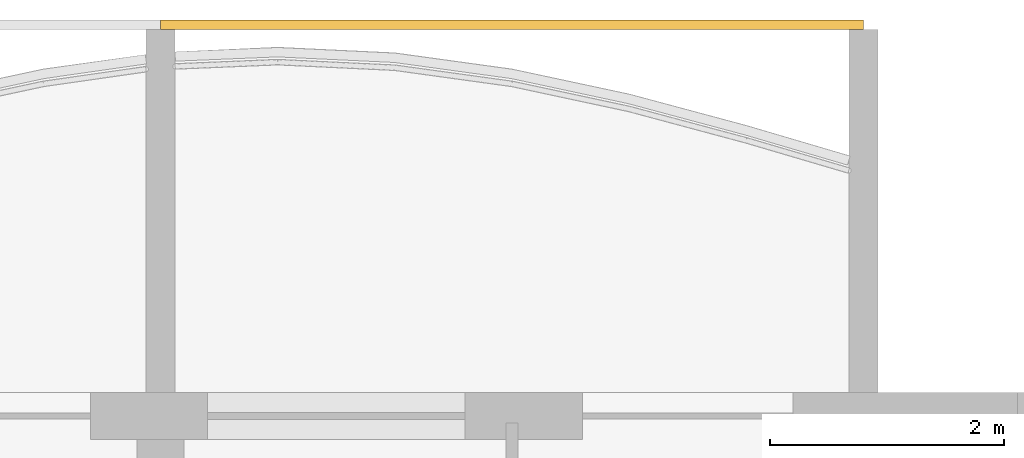
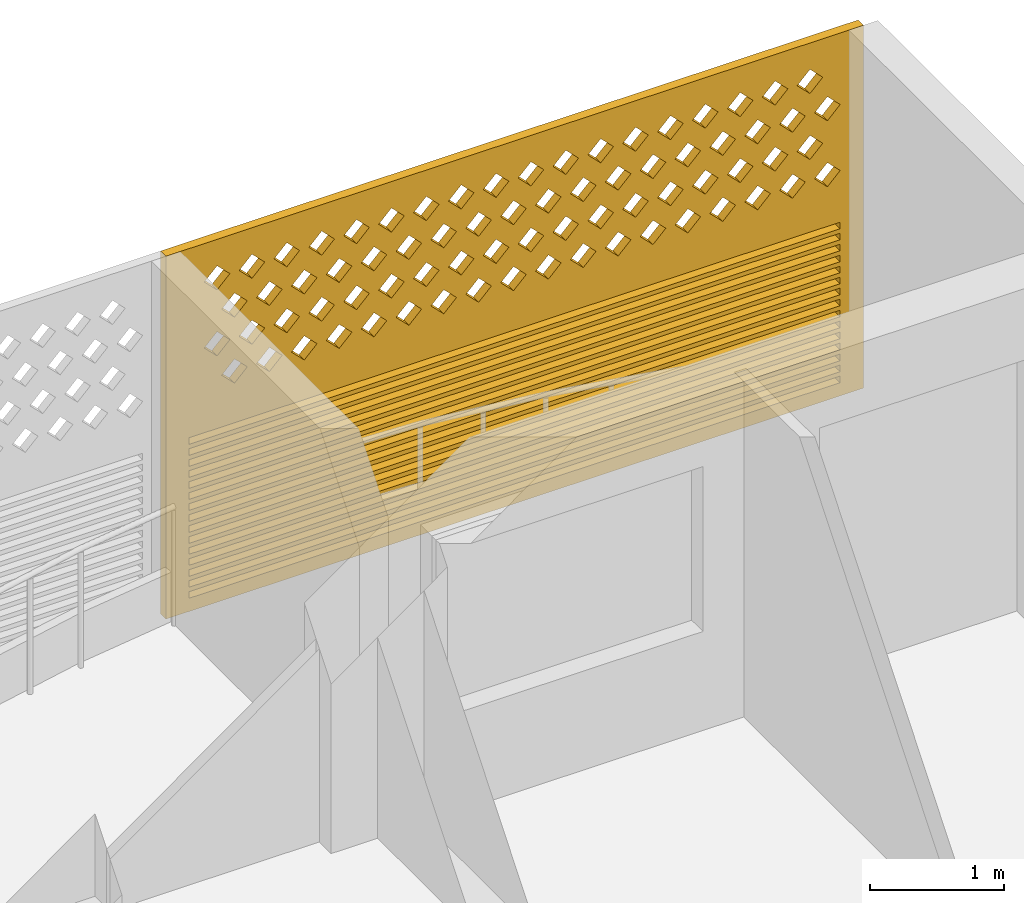
# One storey, part 40 of 40: 1 covering.
"""IFC4 building model written with IfcOpenShell, lengths in metres."""

from ifc_helpers import new_model, si_unit, direction, frame, origin, place, context, subcontext, project, spatial, polyline, outline, extrude, source, transform, mapped, material, material_profile, profile_set, type_object, element, save


model = new_model("IFC4")

# Units and contexts
model_context = context("Model", 3, precision=1e-05, world=origin(), true_north=direction((0.0, 1.0)))
body_context = subcontext(model_context, "Body", "Model", "MODEL_VIEW")
ifc_project = project(units=[si_unit("LENGTHUNIT", "METRE"), si_unit("AREAUNIT", "SQUARE_METRE"), si_unit("VOLUMEUNIT", "CUBIC_METRE"), si_unit("PLANEANGLEUNIT", "RADIAN"), si_unit("MASSUNIT", "GRAM", prefix="KILO")], contexts=[model_context])

# Site, building, storey
site_placement = place(None, origin())
site = spatial("IfcSite", under=ifc_project, at=site_placement, CompositionType="ELEMENT")
building_placement = place(site_placement, origin())
building = spatial("IfcBuilding", under=site, at=building_placement, Name="Poui Terraces", CompositionType="ELEMENT")
storey_placement = place(building_placement, frame((0.0, 0.0, 33.300048828125)))
storey = spatial("IfcBuildingStorey", under=building, at=storey_placement, Name="L08", CompositionType="ELEMENT", Elevation=33.300048828125)

# Covering
ifc_material = material(Name="Terracotta screen", Category="masonry")
ifc_material_profile = material_profile(ifc_material, outline(polyline([(-3.0, -1.64990234375), (3.0, -1.64990234375), (3.0, 1.64990234375), (-3.0, 1.64990234375), (-3.0, -1.64990234375)]), holes=[polyline([(-2.800048828125, 0.39990234375), (-2.68994140625, 0.2900390625), (-2.580078125, 0.39990234375), (-2.68994140625, 0.510009765625), (-2.800048828125, 0.39990234375)]), polyline([(-2.5, 0.39990234375), (-2.389892578125, 0.2900390625), (-2.280029296875, 0.39990234375), (-2.389892578125, 0.510009765625), (-2.5, 0.39990234375)]), polyline([(-2.199951171875, 0.39990234375), (-2.090087890625, 0.2900390625), (-1.97998046875, 0.39990234375), (-2.090087890625, 0.510009765625), (-2.199951171875, 0.39990234375)]), polyline([(-1.89990234375, 0.39990234375), (-1.7900390625, 0.2900390625), (-1.679931640625, 0.39990234375), (-1.7900390625, 0.510009765625), (-1.89990234375, 0.39990234375)]), polyline([(-1.60009765625, 0.39990234375), (-1.489990234375, 0.2900390625), (-1.3798828125, 0.39990234375), (-1.489990234375, 0.510009765625), (-1.60009765625, 0.39990234375)]), polyline([(-1.300048828125, 0.39990234375), (-1.18994140625, 0.2900390625), (-1.080078125, 0.39990234375), (-1.18994140625, 0.510009765625), (-1.300048828125, 0.39990234375)]), polyline([(-1.0, 0.39990234375), (-0.889892578125, 0.2900390625), (-0.780029296875, 0.39990234375), (-0.889892578125, 0.510009765625), (-1.0, 0.39990234375)]), polyline([(-0.699951171875, 0.39990234375), (-0.590087890625, 0.2900390625), (-0.47998046875, 0.39990234375), (-0.590087890625, 0.510009765625), (-0.699951171875, 0.39990234375)]), polyline([(-0.39990234375, 0.39990234375), (-0.2900390625, 0.2900390625), (-0.179931640625, 0.39990234375), (-0.2900390625, 0.510009765625), (-0.39990234375, 0.39990234375)]), polyline([(-0.10009765625, 0.39990234375), (0.010009765625, 0.2900390625), (0.1201171875, 0.39990234375), (0.010009765625, 0.510009765625), (-0.10009765625, 0.39990234375)]), polyline([(0.199951171875, 0.39990234375), (0.31005859375, 0.2900390625), (0.419921875, 0.39990234375), (0.31005859375, 0.510009765625), (0.199951171875, 0.39990234375)]), polyline([(0.5, 0.39990234375), (0.610107421875, 0.2900390625), (0.719970703125, 0.39990234375), (0.610107421875, 0.510009765625), (0.5, 0.39990234375)]), polyline([(0.800048828125, 0.39990234375), (0.909912109375, 0.2900390625), (1.02001953125, 0.39990234375), (0.909912109375, 0.510009765625), (0.800048828125, 0.39990234375)]), polyline([(1.10009765625, 0.39990234375), (1.2099609375, 0.2900390625), (1.320068359375, 0.39990234375), (1.2099609375, 0.510009765625), (1.10009765625, 0.39990234375)]), polyline([(1.39990234375, 0.39990234375), (1.510009765625, 0.2900390625), (1.6201171875, 0.39990234375), (1.510009765625, 0.510009765625), (1.39990234375, 0.39990234375)]), polyline([(1.699951171875, 0.39990234375), (1.81005859375, 0.2900390625), (1.919921875, 0.39990234375), (1.81005859375, 0.510009765625), (1.699951171875, 0.39990234375)]), polyline([(2.0, 0.39990234375), (2.110107421875, 0.2900390625), (2.219970703125, 0.39990234375), (2.110107421875, 0.510009765625), (2.0, 0.39990234375)]), polyline([(2.300048828125, 0.39990234375), (2.409912109375, 0.2900390625), (2.52001953125, 0.39990234375), (2.409912109375, 0.510009765625), (2.300048828125, 0.39990234375)]), polyline([(-2.64990234375, 0.699951171875), (-2.5400390625, 0.590087890625), (-2.429931640625, 0.699951171875), (-2.5400390625, 0.81005859375), (-2.64990234375, 0.699951171875)]), polyline([(-2.35009765625, 0.699951171875), (-2.239990234375, 0.590087890625), (-2.1298828125, 0.699951171875), (-2.239990234375, 0.81005859375), (-2.35009765625, 0.699951171875)]), polyline([(-2.050048828125, 0.699951171875), (-1.93994140625, 0.590087890625), (-1.830078125, 0.699951171875), (-1.93994140625, 0.81005859375), (-2.050048828125, 0.699951171875)]), polyline([(-1.75, 0.699951171875), (-1.639892578125, 0.590087890625), (-1.530029296875, 0.699951171875), (-1.639892578125, 0.81005859375), (-1.75, 0.699951171875)]), polyline([(-1.449951171875, 0.699951171875), (-1.340087890625, 0.590087890625), (-1.22998046875, 0.699951171875), (-1.340087890625, 0.81005859375), (-1.449951171875, 0.699951171875)]), polyline([(-1.14990234375, 0.699951171875), (-1.0400390625, 0.590087890625), (-0.929931640625, 0.699951171875), (-1.0400390625, 0.81005859375), (-1.14990234375, 0.699951171875)]), polyline([(-0.85009765625, 0.699951171875), (-0.739990234375, 0.590087890625), (-0.6298828125, 0.699951171875), (-0.739990234375, 0.81005859375), (-0.85009765625, 0.699951171875)]), polyline([(-0.550048828125, 0.699951171875), (-0.43994140625, 0.590087890625), (-0.330078125, 0.699951171875), (-0.43994140625, 0.81005859375), (-0.550048828125, 0.699951171875)]), polyline([(-0.25, 0.699951171875), (-0.139892578125, 0.590087890625), (-0.030029296875, 0.699951171875), (-0.139892578125, 0.81005859375), (-0.25, 0.699951171875)]), polyline([(0.050048828125, 0.699951171875), (0.159912109375, 0.590087890625), (0.27001953125, 0.699951171875), (0.159912109375, 0.81005859375), (0.050048828125, 0.699951171875)]), polyline([(0.35009765625, 0.699951171875), (0.4599609375, 0.590087890625), (0.570068359375, 0.699951171875), (0.4599609375, 0.81005859375), (0.35009765625, 0.699951171875)]), polyline([(0.64990234375, 0.699951171875), (0.760009765625, 0.590087890625), (0.8701171875, 0.699951171875), (0.760009765625, 0.81005859375), (0.64990234375, 0.699951171875)]), polyline([(0.949951171875, 0.699951171875), (1.06005859375, 0.590087890625), (1.169921875, 0.699951171875), (1.06005859375, 0.81005859375), (0.949951171875, 0.699951171875)]), polyline([(1.25, 0.699951171875), (1.360107421875, 0.590087890625), (1.469970703125, 0.699951171875), (1.360107421875, 0.81005859375), (1.25, 0.699951171875)]), polyline([(1.550048828125, 0.699951171875), (1.659912109375, 0.590087890625), (1.77001953125, 0.699951171875), (1.659912109375, 0.81005859375), (1.550048828125, 0.699951171875)]), polyline([(1.85009765625, 0.699951171875), (1.9599609375, 0.590087890625), (2.070068359375, 0.699951171875), (1.9599609375, 0.81005859375), (1.85009765625, 0.699951171875)]), polyline([(2.14990234375, 0.699951171875), (2.260009765625, 0.590087890625), (2.3701171875, 0.699951171875), (2.260009765625, 0.81005859375), (2.14990234375, 0.699951171875)]), polyline([(2.449951171875, 0.699951171875), (2.56005859375, 0.590087890625), (2.669921875, 0.699951171875), (2.56005859375, 0.81005859375), (2.449951171875, 0.699951171875)]), polyline([(-2.800048828125, 1.0), (-2.68994140625, 0.889892578125), (-2.580078125, 1.0), (-2.68994140625, 1.110107421875), (-2.800048828125, 1.0)]), polyline([(-2.5, 1.0), (-2.389892578125, 0.889892578125), (-2.280029296875, 1.0), (-2.389892578125, 1.110107421875), (-2.5, 1.0)]), polyline([(-2.199951171875, 1.0), (-2.090087890625, 0.889892578125), (-1.97998046875, 1.0), (-2.090087890625, 1.110107421875), (-2.199951171875, 1.0)]), polyline([(-1.89990234375, 1.0), (-1.7900390625, 0.889892578125), (-1.679931640625, 1.0), (-1.7900390625, 1.110107421875), (-1.89990234375, 1.0)]), polyline([(-1.60009765625, 1.0), (-1.489990234375, 0.889892578125), (-1.3798828125, 1.0), (-1.489990234375, 1.110107421875), (-1.60009765625, 1.0)]), polyline([(-1.300048828125, 1.0), (-1.18994140625, 0.889892578125), (-1.080078125, 1.0), (-1.18994140625, 1.110107421875), (-1.300048828125, 1.0)]), polyline([(-1.0, 1.0), (-0.889892578125, 0.889892578125), (-0.780029296875, 1.0), (-0.889892578125, 1.110107421875), (-1.0, 1.0)]), polyline([(-0.699951171875, 1.0), (-0.590087890625, 0.889892578125), (-0.47998046875, 1.0), (-0.590087890625, 1.110107421875), (-0.699951171875, 1.0)]), polyline([(-0.39990234375, 1.0), (-0.2900390625, 0.889892578125), (-0.179931640625, 1.0), (-0.2900390625, 1.110107421875), (-0.39990234375, 1.0)]), polyline([(-0.10009765625, 1.0), (0.010009765625, 0.889892578125), (0.1201171875, 1.0), (0.010009765625, 1.110107421875), (-0.10009765625, 1.0)]), polyline([(0.199951171875, 1.0), (0.31005859375, 0.889892578125), (0.419921875, 1.0), (0.31005859375, 1.110107421875), (0.199951171875, 1.0)]), polyline([(0.5, 1.0), (0.610107421875, 0.889892578125), (0.719970703125, 1.0), (0.610107421875, 1.110107421875), (0.5, 1.0)]), polyline([(0.800048828125, 1.0), (0.909912109375, 0.889892578125), (1.02001953125, 1.0), (0.909912109375, 1.110107421875), (0.800048828125, 1.0)]), polyline([(1.10009765625, 1.0), (1.2099609375, 0.889892578125), (1.320068359375, 1.0), (1.2099609375, 1.110107421875), (1.10009765625, 1.0)]), polyline([(1.39990234375, 1.0), (1.510009765625, 0.889892578125), (1.6201171875, 1.0), (1.510009765625, 1.110107421875), (1.39990234375, 1.0)]), polyline([(1.699951171875, 1.0), (1.81005859375, 0.889892578125), (1.919921875, 1.0), (1.81005859375, 1.110107421875), (1.699951171875, 1.0)]), polyline([(2.0, 1.0), (2.110107421875, 0.889892578125), (2.219970703125, 1.0), (2.110107421875, 1.110107421875), (2.0, 1.0)]), polyline([(2.300048828125, 1.0), (2.409912109375, 0.889892578125), (2.52001953125, 1.0), (2.409912109375, 1.110107421875), (2.300048828125, 1.0)]), polyline([(-2.64990234375, 1.300048828125), (-2.5400390625, 1.18994140625), (-2.429931640625, 1.300048828125), (-2.5400390625, 1.409912109375), (-2.64990234375, 1.300048828125)]), polyline([(-2.35009765625, 1.300048828125), (-2.239990234375, 1.18994140625), (-2.1298828125, 1.300048828125), (-2.239990234375, 1.409912109375), (-2.35009765625, 1.300048828125)]), polyline([(-2.050048828125, 1.300048828125), (-1.93994140625, 1.18994140625), (-1.830078125, 1.300048828125), (-1.93994140625, 1.409912109375), (-2.050048828125, 1.300048828125)]), polyline([(-1.75, 1.300048828125), (-1.639892578125, 1.18994140625), (-1.530029296875, 1.300048828125), (-1.639892578125, 1.409912109375), (-1.75, 1.300048828125)]), polyline([(-1.449951171875, 1.300048828125), (-1.340087890625, 1.18994140625), (-1.22998046875, 1.300048828125), (-1.340087890625, 1.409912109375), (-1.449951171875, 1.300048828125)]), polyline([(-1.14990234375, 1.300048828125), (-1.0400390625, 1.18994140625), (-0.929931640625, 1.300048828125), (-1.0400390625, 1.409912109375), (-1.14990234375, 1.300048828125)]), polyline([(-0.85009765625, 1.300048828125), (-0.739990234375, 1.18994140625), (-0.6298828125, 1.300048828125), (-0.739990234375, 1.409912109375), (-0.85009765625, 1.300048828125)]), polyline([(-0.550048828125, 1.300048828125), (-0.43994140625, 1.18994140625), (-0.330078125, 1.300048828125), (-0.43994140625, 1.409912109375), (-0.550048828125, 1.300048828125)]), polyline([(-0.25, 1.300048828125), (-0.139892578125, 1.18994140625), (-0.030029296875, 1.300048828125), (-0.139892578125, 1.409912109375), (-0.25, 1.300048828125)]), polyline([(0.050048828125, 1.300048828125), (0.159912109375, 1.18994140625), (0.27001953125, 1.300048828125), (0.159912109375, 1.409912109375), (0.050048828125, 1.300048828125)]), polyline([(0.35009765625, 1.300048828125), (0.4599609375, 1.18994140625), (0.570068359375, 1.300048828125), (0.4599609375, 1.409912109375), (0.35009765625, 1.300048828125)]), polyline([(0.64990234375, 1.300048828125), (0.760009765625, 1.18994140625), (0.8701171875, 1.300048828125), (0.760009765625, 1.409912109375), (0.64990234375, 1.300048828125)]), polyline([(0.949951171875, 1.300048828125), (1.06005859375, 1.18994140625), (1.169921875, 1.300048828125), (1.06005859375, 1.409912109375), (0.949951171875, 1.300048828125)]), polyline([(1.25, 1.300048828125), (1.360107421875, 1.18994140625), (1.469970703125, 1.300048828125), (1.360107421875, 1.409912109375), (1.25, 1.300048828125)]), polyline([(1.550048828125, 1.300048828125), (1.659912109375, 1.18994140625), (1.77001953125, 1.300048828125), (1.659912109375, 1.409912109375), (1.550048828125, 1.300048828125)]), polyline([(1.85009765625, 1.300048828125), (1.9599609375, 1.18994140625), (2.070068359375, 1.300048828125), (1.9599609375, 1.409912109375), (1.85009765625, 1.300048828125)]), polyline([(2.14990234375, 1.300048828125), (2.260009765625, 1.18994140625), (2.3701171875, 1.300048828125), (2.260009765625, 1.409912109375), (2.14990234375, 1.300048828125)]), polyline([(2.449951171875, 1.300048828125), (2.56005859375, 1.18994140625), (2.669921875, 1.300048828125), (2.56005859375, 1.409912109375), (2.449951171875, 1.300048828125)]), polyline([(-2.800048828125, -1.530029296875), (2.800048828125, -1.530029296875), (2.800048828125, -1.469970703125), (-2.800048828125, -1.469970703125), (-2.800048828125, -1.530029296875)]), polyline([(-2.800048828125, -1.429931640625), (2.800048828125, -1.429931640625), (2.800048828125, -1.3701171875), (-2.800048828125, -1.3701171875), (-2.800048828125, -1.429931640625)]), polyline([(-2.800048828125, -1.330078125), (2.800048828125, -1.330078125), (2.800048828125, -1.27001953125), (-2.800048828125, -1.27001953125), (-2.800048828125, -1.330078125)]), polyline([(-2.800048828125, -1.22998046875), (2.800048828125, -1.22998046875), (2.800048828125, -1.169921875), (-2.800048828125, -1.169921875), (-2.800048828125, -1.22998046875)]), polyline([(-2.800048828125, -1.1298828125), (2.800048828125, -1.1298828125), (2.800048828125, -1.070068359375), (-2.800048828125, -1.070068359375), (-2.800048828125, -1.1298828125)]), polyline([(-2.800048828125, -1.030029296875), (2.800048828125, -1.030029296875), (2.800048828125, -0.969970703125), (-2.800048828125, -0.969970703125), (-2.800048828125, -1.030029296875)]), polyline([(-2.800048828125, -0.929931640625), (2.800048828125, -0.929931640625), (2.800048828125, -0.8701171875), (-2.800048828125, -0.8701171875), (-2.800048828125, -0.929931640625)]), polyline([(-2.800048828125, -0.830078125), (2.800048828125, -0.830078125), (2.800048828125, -0.77001953125), (-2.800048828125, -0.77001953125), (-2.800048828125, -0.830078125)]), polyline([(-2.800048828125, -0.72998046875), (2.800048828125, -0.72998046875), (2.800048828125, -0.669921875), (-2.800048828125, -0.669921875), (-2.800048828125, -0.72998046875)]), polyline([(-2.800048828125, -0.6298828125), (2.800048828125, -0.6298828125), (2.800048828125, -0.570068359375), (-2.800048828125, -0.570068359375), (-2.800048828125, -0.6298828125)]), polyline([(-2.800048828125, -0.530029296875), (2.800048828125, -0.530029296875), (2.800048828125, -0.469970703125), (-2.800048828125, -0.469970703125), (-2.800048828125, -0.530029296875)]), polyline([(-2.800048828125, -0.429931640625), (2.800048828125, -0.429931640625), (2.800048828125, -0.3701171875), (-2.800048828125, -0.3701171875), (-2.800048828125, -0.429931640625)]), polyline([(-2.800048828125, -0.330078125), (2.800048828125, -0.330078125), (2.800048828125, -0.27001953125), (-2.800048828125, -0.27001953125), (-2.800048828125, -0.330078125)]), polyline([(-2.800048828125, -0.22998046875), (2.800048828125, -0.22998046875), (2.800048828125, -0.169921875), (-2.800048828125, -0.169921875), (-2.800048828125, -0.22998046875)]), polyline([(-2.800048828125, -0.1298828125), (2.800048828125, -0.1298828125), (2.800048828125, -0.070068359375), (-2.800048828125, -0.070068359375), (-2.800048828125, -0.1298828125)])]), Name="TERRACOTTA SCREEN AND JALOUSIE LOUVRE 6000X3300")
ifc_profile_set = profile_set([ifc_material_profile], Name="Terracotta screen")
covering_type = type_object("IfcCoveringType", Name="TERRACOTTA SCREEN AND JALOUSIE LOUVRE 6000X3300", PredefinedType="CLADDING", material=ifc_profile_set)
shared_shape = source(origin(), body_context, "Body", "SweptSolid", [
    extrude(outline(polyline([(-3.0, -1.64990234375), (3.0, -1.64990234375), (3.0, 1.64990234375), (-3.0, 1.64990234375), (-3.0, -1.64990234375)]), holes=[polyline([(-2.800048828125, 0.39990234375), (-2.68994140625, 0.2900390625), (-2.580078125, 0.39990234375), (-2.68994140625, 0.510009765625), (-2.800048828125, 0.39990234375)]), polyline([(-2.5, 0.39990234375), (-2.389892578125, 0.2900390625), (-2.280029296875, 0.39990234375), (-2.389892578125, 0.510009765625), (-2.5, 0.39990234375)]), polyline([(-2.199951171875, 0.39990234375), (-2.090087890625, 0.2900390625), (-1.97998046875, 0.39990234375), (-2.090087890625, 0.510009765625), (-2.199951171875, 0.39990234375)]), polyline([(-1.89990234375, 0.39990234375), (-1.7900390625, 0.2900390625), (-1.679931640625, 0.39990234375), (-1.7900390625, 0.510009765625), (-1.89990234375, 0.39990234375)]), polyline([(-1.60009765625, 0.39990234375), (-1.489990234375, 0.2900390625), (-1.3798828125, 0.39990234375), (-1.489990234375, 0.510009765625), (-1.60009765625, 0.39990234375)]), polyline([(-1.300048828125, 0.39990234375), (-1.18994140625, 0.2900390625), (-1.080078125, 0.39990234375), (-1.18994140625, 0.510009765625), (-1.300048828125, 0.39990234375)]), polyline([(-1.0, 0.39990234375), (-0.889892578125, 0.2900390625), (-0.780029296875, 0.39990234375), (-0.889892578125, 0.510009765625), (-1.0, 0.39990234375)]), polyline([(-0.699951171875, 0.39990234375), (-0.590087890625, 0.2900390625), (-0.47998046875, 0.39990234375), (-0.590087890625, 0.510009765625), (-0.699951171875, 0.39990234375)]), polyline([(-0.39990234375, 0.39990234375), (-0.2900390625, 0.2900390625), (-0.179931640625, 0.39990234375), (-0.2900390625, 0.510009765625), (-0.39990234375, 0.39990234375)]), polyline([(-0.10009765625, 0.39990234375), (0.010009765625, 0.2900390625), (0.1201171875, 0.39990234375), (0.010009765625, 0.510009765625), (-0.10009765625, 0.39990234375)]), polyline([(0.199951171875, 0.39990234375), (0.31005859375, 0.2900390625), (0.419921875, 0.39990234375), (0.31005859375, 0.510009765625), (0.199951171875, 0.39990234375)]), polyline([(0.5, 0.39990234375), (0.610107421875, 0.2900390625), (0.719970703125, 0.39990234375), (0.610107421875, 0.510009765625), (0.5, 0.39990234375)]), polyline([(0.800048828125, 0.39990234375), (0.909912109375, 0.2900390625), (1.02001953125, 0.39990234375), (0.909912109375, 0.510009765625), (0.800048828125, 0.39990234375)]), polyline([(1.10009765625, 0.39990234375), (1.2099609375, 0.2900390625), (1.320068359375, 0.39990234375), (1.2099609375, 0.510009765625), (1.10009765625, 0.39990234375)]), polyline([(1.39990234375, 0.39990234375), (1.510009765625, 0.2900390625), (1.6201171875, 0.39990234375), (1.510009765625, 0.510009765625), (1.39990234375, 0.39990234375)]), polyline([(1.699951171875, 0.39990234375), (1.81005859375, 0.2900390625), (1.919921875, 0.39990234375), (1.81005859375, 0.510009765625), (1.699951171875, 0.39990234375)]), polyline([(2.0, 0.39990234375), (2.110107421875, 0.2900390625), (2.219970703125, 0.39990234375), (2.110107421875, 0.510009765625), (2.0, 0.39990234375)]), polyline([(2.300048828125, 0.39990234375), (2.409912109375, 0.2900390625), (2.52001953125, 0.39990234375), (2.409912109375, 0.510009765625), (2.300048828125, 0.39990234375)]), polyline([(-2.64990234375, 0.699951171875), (-2.5400390625, 0.590087890625), (-2.429931640625, 0.699951171875), (-2.5400390625, 0.81005859375), (-2.64990234375, 0.699951171875)]), polyline([(-2.35009765625, 0.699951171875), (-2.239990234375, 0.590087890625), (-2.1298828125, 0.699951171875), (-2.239990234375, 0.81005859375), (-2.35009765625, 0.699951171875)]), polyline([(-2.050048828125, 0.699951171875), (-1.93994140625, 0.590087890625), (-1.830078125, 0.699951171875), (-1.93994140625, 0.81005859375), (-2.050048828125, 0.699951171875)]), polyline([(-1.75, 0.699951171875), (-1.639892578125, 0.590087890625), (-1.530029296875, 0.699951171875), (-1.639892578125, 0.81005859375), (-1.75, 0.699951171875)]), polyline([(-1.449951171875, 0.699951171875), (-1.340087890625, 0.590087890625), (-1.22998046875, 0.699951171875), (-1.340087890625, 0.81005859375), (-1.449951171875, 0.699951171875)]), polyline([(-1.14990234375, 0.699951171875), (-1.0400390625, 0.590087890625), (-0.929931640625, 0.699951171875), (-1.0400390625, 0.81005859375), (-1.14990234375, 0.699951171875)]), polyline([(-0.85009765625, 0.699951171875), (-0.739990234375, 0.590087890625), (-0.6298828125, 0.699951171875), (-0.739990234375, 0.81005859375), (-0.85009765625, 0.699951171875)]), polyline([(-0.550048828125, 0.699951171875), (-0.43994140625, 0.590087890625), (-0.330078125, 0.699951171875), (-0.43994140625, 0.81005859375), (-0.550048828125, 0.699951171875)]), polyline([(-0.25, 0.699951171875), (-0.139892578125, 0.590087890625), (-0.030029296875, 0.699951171875), (-0.139892578125, 0.81005859375), (-0.25, 0.699951171875)]), polyline([(0.050048828125, 0.699951171875), (0.159912109375, 0.590087890625), (0.27001953125, 0.699951171875), (0.159912109375, 0.81005859375), (0.050048828125, 0.699951171875)]), polyline([(0.35009765625, 0.699951171875), (0.4599609375, 0.590087890625), (0.570068359375, 0.699951171875), (0.4599609375, 0.81005859375), (0.35009765625, 0.699951171875)]), polyline([(0.64990234375, 0.699951171875), (0.760009765625, 0.590087890625), (0.8701171875, 0.699951171875), (0.760009765625, 0.81005859375), (0.64990234375, 0.699951171875)]), polyline([(0.949951171875, 0.699951171875), (1.06005859375, 0.590087890625), (1.169921875, 0.699951171875), (1.06005859375, 0.81005859375), (0.949951171875, 0.699951171875)]), polyline([(1.25, 0.699951171875), (1.360107421875, 0.590087890625), (1.469970703125, 0.699951171875), (1.360107421875, 0.81005859375), (1.25, 0.699951171875)]), polyline([(1.550048828125, 0.699951171875), (1.659912109375, 0.590087890625), (1.77001953125, 0.699951171875), (1.659912109375, 0.81005859375), (1.550048828125, 0.699951171875)]), polyline([(1.85009765625, 0.699951171875), (1.9599609375, 0.590087890625), (2.070068359375, 0.699951171875), (1.9599609375, 0.81005859375), (1.85009765625, 0.699951171875)]), polyline([(2.14990234375, 0.699951171875), (2.260009765625, 0.590087890625), (2.3701171875, 0.699951171875), (2.260009765625, 0.81005859375), (2.14990234375, 0.699951171875)]), polyline([(2.449951171875, 0.699951171875), (2.56005859375, 0.590087890625), (2.669921875, 0.699951171875), (2.56005859375, 0.81005859375), (2.449951171875, 0.699951171875)]), polyline([(-2.800048828125, 1.0), (-2.68994140625, 0.889892578125), (-2.580078125, 1.0), (-2.68994140625, 1.110107421875), (-2.800048828125, 1.0)]), polyline([(-2.5, 1.0), (-2.389892578125, 0.889892578125), (-2.280029296875, 1.0), (-2.389892578125, 1.110107421875), (-2.5, 1.0)]), polyline([(-2.199951171875, 1.0), (-2.090087890625, 0.889892578125), (-1.97998046875, 1.0), (-2.090087890625, 1.110107421875), (-2.199951171875, 1.0)]), polyline([(-1.89990234375, 1.0), (-1.7900390625, 0.889892578125), (-1.679931640625, 1.0), (-1.7900390625, 1.110107421875), (-1.89990234375, 1.0)]), polyline([(-1.60009765625, 1.0), (-1.489990234375, 0.889892578125), (-1.3798828125, 1.0), (-1.489990234375, 1.110107421875), (-1.60009765625, 1.0)]), polyline([(-1.300048828125, 1.0), (-1.18994140625, 0.889892578125), (-1.080078125, 1.0), (-1.18994140625, 1.110107421875), (-1.300048828125, 1.0)]), polyline([(-1.0, 1.0), (-0.889892578125, 0.889892578125), (-0.780029296875, 1.0), (-0.889892578125, 1.110107421875), (-1.0, 1.0)]), polyline([(-0.699951171875, 1.0), (-0.590087890625, 0.889892578125), (-0.47998046875, 1.0), (-0.590087890625, 1.110107421875), (-0.699951171875, 1.0)]), polyline([(-0.39990234375, 1.0), (-0.2900390625, 0.889892578125), (-0.179931640625, 1.0), (-0.2900390625, 1.110107421875), (-0.39990234375, 1.0)]), polyline([(-0.10009765625, 1.0), (0.010009765625, 0.889892578125), (0.1201171875, 1.0), (0.010009765625, 1.110107421875), (-0.10009765625, 1.0)]), polyline([(0.199951171875, 1.0), (0.31005859375, 0.889892578125), (0.419921875, 1.0), (0.31005859375, 1.110107421875), (0.199951171875, 1.0)]), polyline([(0.5, 1.0), (0.610107421875, 0.889892578125), (0.719970703125, 1.0), (0.610107421875, 1.110107421875), (0.5, 1.0)]), polyline([(0.800048828125, 1.0), (0.909912109375, 0.889892578125), (1.02001953125, 1.0), (0.909912109375, 1.110107421875), (0.800048828125, 1.0)]), polyline([(1.10009765625, 1.0), (1.2099609375, 0.889892578125), (1.320068359375, 1.0), (1.2099609375, 1.110107421875), (1.10009765625, 1.0)]), polyline([(1.39990234375, 1.0), (1.510009765625, 0.889892578125), (1.6201171875, 1.0), (1.510009765625, 1.110107421875), (1.39990234375, 1.0)]), polyline([(1.699951171875, 1.0), (1.81005859375, 0.889892578125), (1.919921875, 1.0), (1.81005859375, 1.110107421875), (1.699951171875, 1.0)]), polyline([(2.0, 1.0), (2.110107421875, 0.889892578125), (2.219970703125, 1.0), (2.110107421875, 1.110107421875), (2.0, 1.0)]), polyline([(2.300048828125, 1.0), (2.409912109375, 0.889892578125), (2.52001953125, 1.0), (2.409912109375, 1.110107421875), (2.300048828125, 1.0)]), polyline([(-2.64990234375, 1.300048828125), (-2.5400390625, 1.18994140625), (-2.429931640625, 1.300048828125), (-2.5400390625, 1.409912109375), (-2.64990234375, 1.300048828125)]), polyline([(-2.35009765625, 1.300048828125), (-2.239990234375, 1.18994140625), (-2.1298828125, 1.300048828125), (-2.239990234375, 1.409912109375), (-2.35009765625, 1.300048828125)]), polyline([(-2.050048828125, 1.300048828125), (-1.93994140625, 1.18994140625), (-1.830078125, 1.300048828125), (-1.93994140625, 1.409912109375), (-2.050048828125, 1.300048828125)]), polyline([(-1.75, 1.300048828125), (-1.639892578125, 1.18994140625), (-1.530029296875, 1.300048828125), (-1.639892578125, 1.409912109375), (-1.75, 1.300048828125)]), polyline([(-1.449951171875, 1.300048828125), (-1.340087890625, 1.18994140625), (-1.22998046875, 1.300048828125), (-1.340087890625, 1.409912109375), (-1.449951171875, 1.300048828125)]), polyline([(-1.14990234375, 1.300048828125), (-1.0400390625, 1.18994140625), (-0.929931640625, 1.300048828125), (-1.0400390625, 1.409912109375), (-1.14990234375, 1.300048828125)]), polyline([(-0.85009765625, 1.300048828125), (-0.739990234375, 1.18994140625), (-0.6298828125, 1.300048828125), (-0.739990234375, 1.409912109375), (-0.85009765625, 1.300048828125)]), polyline([(-0.550048828125, 1.300048828125), (-0.43994140625, 1.18994140625), (-0.330078125, 1.300048828125), (-0.43994140625, 1.409912109375), (-0.550048828125, 1.300048828125)]), polyline([(-0.25, 1.300048828125), (-0.139892578125, 1.18994140625), (-0.030029296875, 1.300048828125), (-0.139892578125, 1.409912109375), (-0.25, 1.300048828125)]), polyline([(0.050048828125, 1.300048828125), (0.159912109375, 1.18994140625), (0.27001953125, 1.300048828125), (0.159912109375, 1.409912109375), (0.050048828125, 1.300048828125)]), polyline([(0.35009765625, 1.300048828125), (0.4599609375, 1.18994140625), (0.570068359375, 1.300048828125), (0.4599609375, 1.409912109375), (0.35009765625, 1.300048828125)]), polyline([(0.64990234375, 1.300048828125), (0.760009765625, 1.18994140625), (0.8701171875, 1.300048828125), (0.760009765625, 1.409912109375), (0.64990234375, 1.300048828125)]), polyline([(0.949951171875, 1.300048828125), (1.06005859375, 1.18994140625), (1.169921875, 1.300048828125), (1.06005859375, 1.409912109375), (0.949951171875, 1.300048828125)]), polyline([(1.25, 1.300048828125), (1.360107421875, 1.18994140625), (1.469970703125, 1.300048828125), (1.360107421875, 1.409912109375), (1.25, 1.300048828125)]), polyline([(1.550048828125, 1.300048828125), (1.659912109375, 1.18994140625), (1.77001953125, 1.300048828125), (1.659912109375, 1.409912109375), (1.550048828125, 1.300048828125)]), polyline([(1.85009765625, 1.300048828125), (1.9599609375, 1.18994140625), (2.070068359375, 1.300048828125), (1.9599609375, 1.409912109375), (1.85009765625, 1.300048828125)]), polyline([(2.14990234375, 1.300048828125), (2.260009765625, 1.18994140625), (2.3701171875, 1.300048828125), (2.260009765625, 1.409912109375), (2.14990234375, 1.300048828125)]), polyline([(2.449951171875, 1.300048828125), (2.56005859375, 1.18994140625), (2.669921875, 1.300048828125), (2.56005859375, 1.409912109375), (2.449951171875, 1.300048828125)]), polyline([(-2.800048828125, -1.530029296875), (2.800048828125, -1.530029296875), (2.800048828125, -1.469970703125), (-2.800048828125, -1.469970703125), (-2.800048828125, -1.530029296875)]), polyline([(-2.800048828125, -1.429931640625), (2.800048828125, -1.429931640625), (2.800048828125, -1.3701171875), (-2.800048828125, -1.3701171875), (-2.800048828125, -1.429931640625)]), polyline([(-2.800048828125, -1.330078125), (2.800048828125, -1.330078125), (2.800048828125, -1.27001953125), (-2.800048828125, -1.27001953125), (-2.800048828125, -1.330078125)]), polyline([(-2.800048828125, -1.22998046875), (2.800048828125, -1.22998046875), (2.800048828125, -1.169921875), (-2.800048828125, -1.169921875), (-2.800048828125, -1.22998046875)]), polyline([(-2.800048828125, -1.1298828125), (2.800048828125, -1.1298828125), (2.800048828125, -1.070068359375), (-2.800048828125, -1.070068359375), (-2.800048828125, -1.1298828125)]), polyline([(-2.800048828125, -1.030029296875), (2.800048828125, -1.030029296875), (2.800048828125, -0.969970703125), (-2.800048828125, -0.969970703125), (-2.800048828125, -1.030029296875)]), polyline([(-2.800048828125, -0.929931640625), (2.800048828125, -0.929931640625), (2.800048828125, -0.8701171875), (-2.800048828125, -0.8701171875), (-2.800048828125, -0.929931640625)]), polyline([(-2.800048828125, -0.830078125), (2.800048828125, -0.830078125), (2.800048828125, -0.77001953125), (-2.800048828125, -0.77001953125), (-2.800048828125, -0.830078125)]), polyline([(-2.800048828125, -0.72998046875), (2.800048828125, -0.72998046875), (2.800048828125, -0.669921875), (-2.800048828125, -0.669921875), (-2.800048828125, -0.72998046875)]), polyline([(-2.800048828125, -0.6298828125), (2.800048828125, -0.6298828125), (2.800048828125, -0.570068359375), (-2.800048828125, -0.570068359375), (-2.800048828125, -0.6298828125)]), polyline([(-2.800048828125, -0.530029296875), (2.800048828125, -0.530029296875), (2.800048828125, -0.469970703125), (-2.800048828125, -0.469970703125), (-2.800048828125, -0.530029296875)]), polyline([(-2.800048828125, -0.429931640625), (2.800048828125, -0.429931640625), (2.800048828125, -0.3701171875), (-2.800048828125, -0.3701171875), (-2.800048828125, -0.429931640625)]), polyline([(-2.800048828125, -0.330078125), (2.800048828125, -0.330078125), (2.800048828125, -0.27001953125), (-2.800048828125, -0.27001953125), (-2.800048828125, -0.330078125)]), polyline([(-2.800048828125, -0.22998046875), (2.800048828125, -0.22998046875), (2.800048828125, -0.169921875), (-2.800048828125, -0.169921875), (-2.800048828125, -0.22998046875)]), polyline([(-2.800048828125, -0.1298828125), (2.800048828125, -0.1298828125), (2.800048828125, -0.070068359375), (-2.800048828125, -0.070068359375), (-2.800048828125, -0.1298828125)])]), origin(), (0.0, 0.0, 1.0), 0.079833984375),
])
covering_placement = place(storey_placement, frame((93.0, 48.10009765625, 1.449951171875), z_axis=(0.0, 1.0, 0.0), x_axis=(-1.0, 0.0, 0.0)))
element("IfcCovering", 1, at=covering_placement, inside=storey, type_object=covering_type, Name="SOLAR SCREEN AND JALOUSIE LOUVRE", PredefinedType="CLADDING", context=body_context, shape_type="MappedRepresentation", body=[
    mapped(shared_shape, transform((0.0, 0.0, 0.0))),
])

save(model, "model.ifc")
